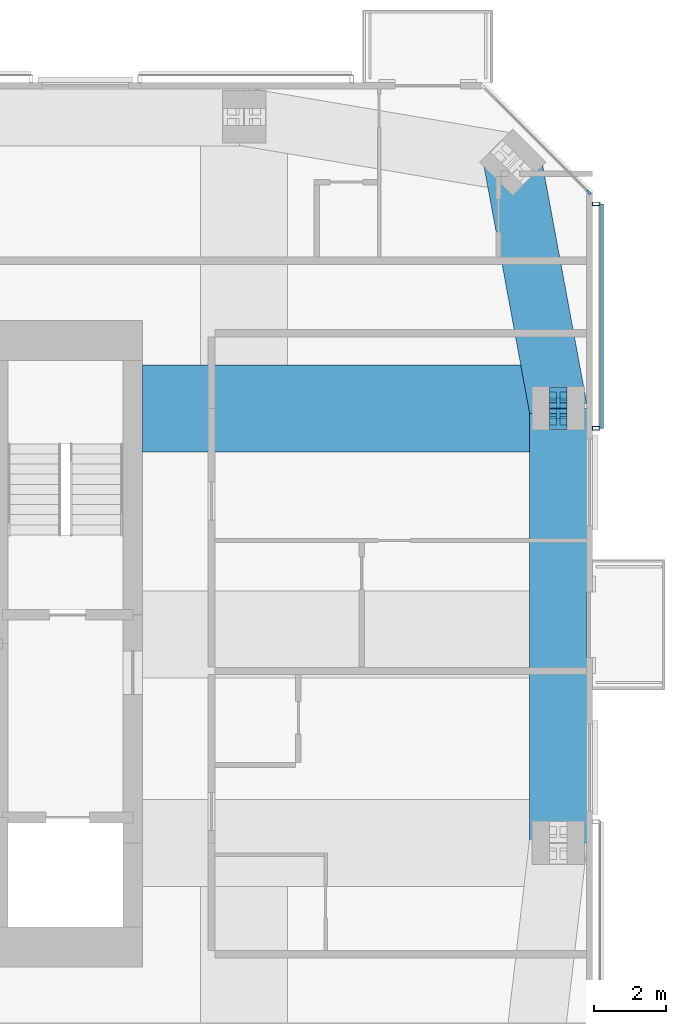
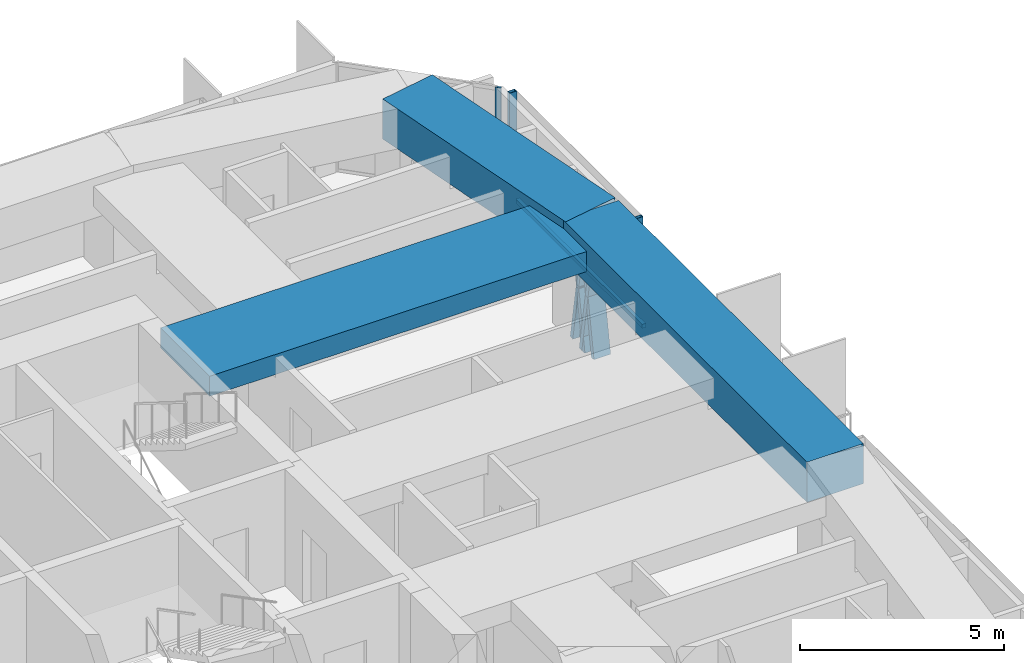
# One storey, part 8 of 18: 8 members, 3 beams, 2 elements without a shape of their own.
"""IFC4 building model written with IfcOpenShell, lengths in metres."""

from ifc_helpers import new_model, si_unit, direction, frame, origin, origin_2d, place, context, subcontext, project, spatial, rectangle, hollow_rectangle, i_section, extrude, material, material_profile, profile_set, type_object, element, aggregate, save


model = new_model("IFC4")

# Units and contexts
model_context = context("Model", 3, precision=1e-05, world=origin(), true_north=direction((0.0, 1.0)))
body_context = subcontext(model_context, "Body", "Model", "MODEL_VIEW")
ifc_project = project(units=[si_unit("LENGTHUNIT", "METRE"), si_unit("AREAUNIT", "SQUARE_METRE"), si_unit("VOLUMEUNIT", "CUBIC_METRE"), si_unit("PLANEANGLEUNIT", "RADIAN"), si_unit("MASSUNIT", "GRAM", prefix="KILO")], contexts=[model_context])

# Site, building, storey
site_placement = place(None, origin())
site = spatial("IfcSite", under=ifc_project, at=site_placement, CompositionType="ELEMENT")
building_placement = place(site_placement, origin())
building = spatial("IfcBuilding", under=site, at=building_placement, Name="Jalousie Tower", CompositionType="ELEMENT")
storey_placement = place(building_placement, frame((0.0, 0.0, 249.449951171875)))
storey = spatial("IfcBuildingStorey", under=building, at=storey_placement, Name="L68", CompositionType="ELEMENT", Elevation=249.449951171875)

# Curtain wall, member
ifc_material_1 = material(Name="Aluminium curtain wall", Category="aluminium")
curtain_wall_type_1 = type_object("IfcCurtainWallType", Name="CORNER WINDOW WALL", PredefinedType="USERDEFINED", material=ifc_material_1)
curtain_wall_1_placement = place(storey_placement, origin())
curtain_wall_1 = element("IfcCurtainWall", 1, at=curtain_wall_1_placement, inside=storey, type_object=curtain_wall_type_1, Name="Corner Window Wall L68 4", ObjectType="CORNER WINDOW WALL", PredefinedType="USERDEFINED")
ifc_material_2 = material(Name="Aluminium mullion", Category="aluminium")
ifc_material_profile_1 = material_profile(ifc_material_2, rectangle(XDim=0.06005859375, YDim=0.14990234375, at=origin_2d()), Name="MULLION 60x150")
ifc_profile_set_1 = profile_set([ifc_material_profile_1], Name="Aluminium mullion")
member_type_1 = type_object("IfcMemberType", Name="CORNER WINDOW WALL MULLION", PredefinedType="MULLION", material=ifc_profile_set_1)
member_1_placement = place(storey_placement, frame((56.391357421875, 30.969970703125, 0.0), z_axis=(0.0, 0.0, 1.0), x_axis=(-0.707106781187, -0.707106781187, 0.0)))
member_1 = element("IfcMember", 2, at=member_1_placement, type_object=member_type_1, Name="CW-C mullion 1", PredefinedType="MULLION", context=body_context, shape_type="SweptSolid", body=[
    extrude(rectangle(XDim=0.06005859375, YDim=0.14990234375, at=origin_2d()), origin(), (0.0, 0.0, 1.0), 3.260009765625),
])
aggregate(curtain_wall_1, [member_1])

# Members
ifc_material_3 = material(Name="Steel ASTM A992 Grade 50", Category="steel")
ifc_material_profile_2 = material_profile(ifc_material_3, i_section(OverallWidth=0.472412109375, OverallDepth=0.5791015625, WebThickness=0.094970703125, FlangeThickness=0.1298828125, at=origin_2d()), Name="W14X808")
ifc_profile_set_2 = profile_set([ifc_material_profile_2], Name="Steel ASTM A992 Grade 50")
member_type_2 = type_object("IfcMemberType", Name="PERIMETER BRACE W14X808", PredefinedType="BRACE", material=ifc_profile_set_2)
for number, where, z_axis, x_axis, name in (
    (3, (55.550048828125, 24.699951171875, -0.599853515625), (0.0, 0.168990530437, 0.98561767467), (-1.0, 0.0, 0.0), "Perimeter brace 07 L68 part 1"),
    (4, (55.550048828125, 25.0, 1.150146484375), (0.0, 0.168990530437, 0.98561767467), (-1.0, 0.0, 0.0), "Perimeter brace 07 L68 part 2"),
    (5, (55.550048828125, 25.300048828125, -0.599853515625), (0.0, -0.168990530437, 0.98561767467), (1.0, 0.0, 0.0), "Perimeter brace 07 L68 part 3"),
    (6, (55.550048828125, 25.0, 1.150146484375), (0.0, -0.168990530437, 0.98561767467), (1.0, 0.0, 0.0), "Perimeter brace 07 L68 part 4"),
):
    element("IfcMember", number, at=place(storey_placement, frame(where, z_axis=z_axis, x_axis=x_axis)), inside=storey, type_object=member_type_2, Name=name, PredefinedType="BRACE", context=body_context, shape_type="SweptSolid", body=[
        extrude(i_section(OverallWidth=0.472412109375, OverallDepth=0.5791015625, WebThickness=0.094970703125, FlangeThickness=0.1298828125, at=origin_2d()), origin(), (0.0, 0.0, 1.0), 1.775634765625),
    ])

# Beams
ifc_material_4 = material(Name="Concrete f'c 40 MPa", Category="concrete")
ifc_material_profile_3 = material_profile(ifc_material_4, rectangle(XDim=1.60009765625, YDim=1.199951171875, at=origin_2d()), Name="RC 1600x1200")
ifc_profile_set_3 = profile_set([ifc_material_profile_3], Name="Concrete f'c 40 MPa")
beam_type_1 = type_object("IfcBeamType", Name="RC BEAM 1600x1200", PredefinedType="BEAM", material=ifc_profile_set_3)
beam_1_placement = place(storey_placement, frame((55.550048828125, 13.0, 2.900146484375), z_axis=(0.0, 1.0, 0.0), x_axis=(-1.0, 0.0, 0.0)))
element("IfcBeam", 7, at=beam_1_placement, inside=storey, type_object=beam_type_1, Name="Edge band beam 06-07 under L69", PredefinedType="BEAM", context=body_context, shape_type="SweptSolid", body=[
    extrude(rectangle(XDim=1.60009765625, YDim=1.199951171875, at=origin_2d()), origin(), (0.0, 0.0, 1.0), 12.0),
])
beam_2_placement = place(storey_placement, frame((55.550048828125, 25.0, 2.900146484375), z_axis=(-0.181966505593, 0.983304729391, 0.0), x_axis=(-0.983304729391, -0.181966505593, 0.0)))
element("IfcBeam", 8, at=beam_2_placement, inside=storey, type_object=beam_type_1, Name="Edge band beam 07-08 under L69", PredefinedType="BEAM", context=body_context, shape_type="SweptSolid", body=[
    extrude(rectangle(XDim=1.60009765625, YDim=1.199951171875, at=origin_2d()), origin(), (0.0, 0.0, 1.0), 6.908203125),
])
ifc_material_5 = material(Name="Concrete f'c 40 MPa", Category="concrete")
ifc_material_profile_4 = material_profile(ifc_material_5, rectangle(XDim=2.39990234375, YDim=0.60009765625, at=origin_2d()), Name="RC 2400x600")
ifc_profile_set_4 = profile_set([ifc_material_profile_4], Name="Concrete f'c 40 MPa")
beam_type_2 = type_object("IfcBeamType", Name="RC BEAM 2400x600", PredefinedType="BEAM", material=ifc_profile_set_4)
beam_3_placement = place(storey_placement, frame((55.550048828125, 25.0, 2.9599609375), z_axis=(-1.0, 0.0, 0.0), x_axis=(0.0, -1.0, 0.0)))
element("IfcBeam", 9, at=beam_3_placement, inside=storey, type_object=beam_type_2, Name="Floor band beam under L69", PredefinedType="BEAM", context=body_context, shape_type="SweptSolid", body=[
    extrude(rectangle(XDim=2.39990234375, YDim=0.60009765625, at=origin_2d()), origin(), (0.0, 0.0, 1.0), 11.47509765625),
])

# Curtain wall, members
ifc_material_6 = material(Name="Perforated aluminium sheet", Category="aluminium")
curtain_wall_type_2 = type_object("IfcCurtainWallType", Name="SOLAR SCREEN SS-2", PredefinedType="USERDEFINED", material=ifc_material_6)
curtain_wall_2_placement = place(storey_placement, origin())
curtain_wall_2 = element("IfcCurtainWall", 10, at=curtain_wall_2_placement, inside=storey, type_object=curtain_wall_type_2, Name="Solar screen L68", ObjectType="SOLAR SCREEN SS-2", PredefinedType="USERDEFINED")
ifc_material_7 = material(Name="Steel ASTM A500 Grade C", Category="steel")
ifc_material_profile_5 = material_profile(ifc_material_7, hollow_rectangle(XDim=0.1015625, YDim=0.203125, WallThickness=0.0078125, at=origin_2d()), Name="HSS8X4X5/16")
ifc_profile_set_5 = profile_set([ifc_material_profile_5], Name="Steel ASTM A500 Grade C")
member_type_3 = type_object("IfcMemberType", Name="SOLAR SCREEN SS-2 MULLION", PredefinedType="MULLION", material=ifc_profile_set_5)
member_2_placement = place(storey_placement, frame((56.5966796875, 24.449951171875, -0.119873046875), z_axis=(0.0, 0.0, 1.0), x_axis=(0.0, 1.0, 0.0)))
member_2 = element("IfcMember", 11, at=member_2_placement, type_object=member_type_3, Name="SS2 post 1", PredefinedType="MULLION", context=body_context, shape_type="SweptSolid", body=[
    extrude(hollow_rectangle(XDim=0.1015625, YDim=0.203125, WallThickness=0.0078125, at=origin_2d()), origin(), (0.0, 0.0, 1.0), 3.3798828125),
])
member_3_placement = place(storey_placement, frame((56.5966796875, 30.648681640625, -0.119873046875), z_axis=(0.0, 0.0, 1.0), x_axis=(0.0, 1.0, 0.0)))
member_3 = element("IfcMember", 12, at=member_3_placement, type_object=member_type_3, Name="SS2 post 2", PredefinedType="MULLION", context=body_context, shape_type="SweptSolid", body=[
    extrude(hollow_rectangle(XDim=0.1015625, YDim=0.203125, WallThickness=0.0078125, at=origin_2d()), origin(), (0.0, 0.0, 1.0), 3.3798828125),
])
ifc_material_8 = material(Name="Extruded aluminium screen rail", Category="aluminium")
ifc_material_profile_6 = material_profile(ifc_material_8, rectangle(XDim=0.1015625, YDim=0.1201171875, at=origin_2d()), Name="RAIL 102x120")
ifc_profile_set_6 = profile_set([ifc_material_profile_6], Name="Extruded aluminium screen rail")
member_type_4 = type_object("IfcMemberType", Name="SOLAR SCREEN SS-2 TRANSOM", PredefinedType="USERDEFINED", material=ifc_profile_set_6)
member_4_placement = place(storey_placement, frame((56.7490234375, 24.449951171875, -0.06005859375), z_axis=(0.0, 1.0, 0.0), x_axis=(-1.0, 0.0, 0.0)))
member_4 = element("IfcMember", 13, at=member_4_placement, type_object=member_type_4, Name="SS2 rail", ObjectType="TRANSOM", PredefinedType="USERDEFINED", context=body_context, shape_type="SweptSolid", body=[
    extrude(rectangle(XDim=0.1015625, YDim=0.1201171875, at=origin_2d()), origin(), (0.0, 0.0, 1.0), 6.19873046875),
])
aggregate(curtain_wall_2, [member_2, member_3, member_4])

save(model, "model.ifc")
